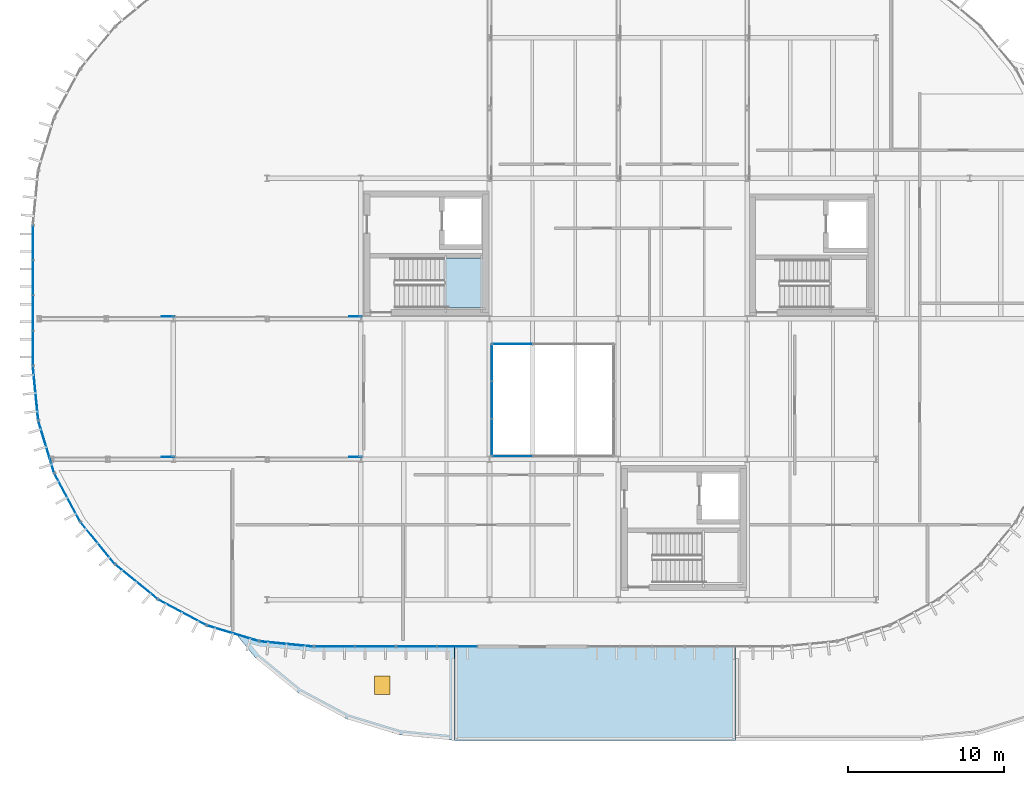
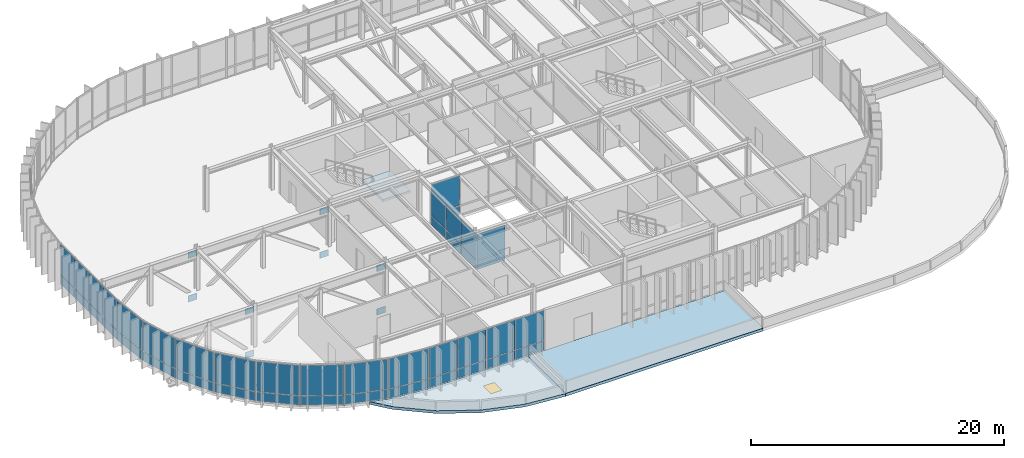
# One storey, part 16 of 29: 50 plates, 3 slabs, 1 door, 1 opening, 16 elements without a shape of their own.
"""IFC4 building model written with IfcOpenShell, lengths in metres."""

import ifcopenshell
import ifcopenshell.guid

model = None  # the IFC model being written
_history = None  # IfcOwnerHistory: only IFC2X3 demands one
_inside = {}  # id of a spatial element -> (the spatial element, [elements in it])
_under = {}  # id of a project, library or spatial element -> (it, [spatial elements below it])
_declared = {}  # id of a project -> (the project, [libraries it declares])
_typed = {}  # id of a type object -> (the type object, [elements of that type])
_made_of = {}  # id of a material, layer set ... -> (it, [elements and type objects made of it])


def new_model(schema):
    """Start an empty IFC model of exactly this schema.

    Asked for "IFC4X3", IfcOpenShell would pick the latest addendum, in which some entities
    have other attributes; the version numbers below select the first issue.
    IFC2X3 requires an IfcOwnerHistory on every rooted entity: one is made here for all.
    """
    global model, _history
    if schema == "IFC4X3":
        model = ifcopenshell.file(schema_version=(4, 3, 0, 0))
    else:
        model = ifcopenshell.file(schema=schema)
    _inside.clear()
    _under.clear()
    _declared.clear()
    _typed.clear()
    _made_of.clear()
    _history = None
    if model.schema == "IFC2X3":
        org = make("IfcOrganization", Name="unknown")
        user = make(
            "IfcPersonAndOrganization",
            ThePerson=make("IfcPerson", FamilyName="unknown"),
            TheOrganization=org,
        )
        app = make(
            "IfcApplication",
            ApplicationDeveloper=org,
            Version="unknown",
            ApplicationFullName="unknown",
            ApplicationIdentifier="unknown",
        )
        _history = make(
            "IfcOwnerHistory",
            OwningUser=user,
            OwningApplication=app,
            ChangeAction="ADDED",
            CreationDate=0,
        )
    return model


def make(cls, **values):
    """One entity of the class cls with the attributes given. An attribute that is None is left unset."""
    return model.create_entity(
        cls, **{name: value for name, value in values.items() if value is not None}
    )


def rooted(cls, **values):
    """An entity with a GlobalId (a new one), such as an element, a storey or a relation."""
    return make(cls, GlobalId=ifcopenshell.guid.new(), OwnerHistory=_history, **values)


def si_unit(unit_type, name, prefix=None):
    """IfcSIUnit, for example si_unit("LENGTHUNIT", "METRE", prefix="MILLI")."""
    return make("IfcSIUnit", UnitType=unit_type, Prefix=prefix, Name=name)


def assignment(units):
    """IfcUnitAssignment: the units of a project."""
    return None if units is None else make("IfcUnitAssignment", Units=units)


def point(xyz):
    """IfcCartesianPoint."""
    return None if xyz is None else make("IfcCartesianPoint", Coordinates=xyz)


def direction(xyz):
    """IfcDirection."""
    return None if xyz is None else make("IfcDirection", DirectionRatios=xyz)


def frame(location, z_axis=None, x_axis=None):
    """IfcAxis2Placement3D, a coordinate frame: its origin and axes. An axis left out is left unset."""
    return make(
        "IfcAxis2Placement3D",
        Location=point(location),
        Axis=direction(z_axis),
        RefDirection=direction(x_axis),
    )


def frame_2d(location, x_axis=None):
    """IfcAxis2Placement2D, a coordinate frame in the plane: its origin and x axis."""
    return make(
        "IfcAxis2Placement2D", Location=point(location), RefDirection=direction(x_axis)
    )


def origin():
    """The frame at (0, 0, 0) with its axes left unset."""
    return frame((0.0, 0.0, 0.0))


def origin_2d():
    """The frame at (0, 0) in the plane with its x axis left unset."""
    return frame_2d((0.0, 0.0))


def place(relative_to, where):
    """IfcLocalPlacement: puts the frame where relative to a parent placement (None: the world)."""
    return make(
        "IfcLocalPlacement", PlacementRelTo=relative_to, RelativePlacement=where
    )


def context(
    kind, dimensions, precision=None, world=None, true_north=None, identifier=None
):
    """IfcGeometricRepresentationContext, for example the 3D "Model" context."""
    return make(
        "IfcGeometricRepresentationContext",
        ContextIdentifier=identifier,
        ContextType=kind,
        CoordinateSpaceDimension=dimensions,
        Precision=precision,
        WorldCoordinateSystem=world,
        TrueNorth=true_north,
    )


def subcontext(parent, identifier, kind, view, scale=None):
    """IfcGeometricRepresentationSubContext, for example "Body" below "Model"."""
    return make(
        "IfcGeometricRepresentationSubContext",
        ContextIdentifier=identifier,
        ContextType=kind,
        ParentContext=parent,
        TargetScale=scale,
        TargetView=view,
    )


def project(units=None, contexts=None):
    """IfcProject with its units and contexts."""
    return rooted(
        "IfcProject",
        Name="project",
        RepresentationContexts=contexts,
        UnitsInContext=assignment(units),
    )


def spatial(cls, under=None, at=None, **own):
    """A site, building, storey or space (cls), placed at a placement, below another one or the project."""
    s = rooted(cls, ObjectPlacement=at, **own)
    if under is not None:
        _under.setdefault(under.id(), (under, []))[1].append(s)
    return s


def polyline(points):
    """IfcPolyline through the points."""
    return make("IfcPolyline", Points=[point(p) for p in points])


def profile(cls, at=None, kind="AREA", **sizes):
    """A parametric profile (cls). Its sizes go by their IFC names, for example OverallWidth=200.0."""
    return make(cls, ProfileType=kind, Position=at, **sizes)


def rectangle(**sizes):
    """IfcRectangleProfileDef."""
    return profile("IfcRectangleProfileDef", **sizes)


def outline(outer, holes=None, kind="AREA"):
    """IfcArbitraryClosedProfileDef: a profile drawn as a closed curve; with holes, ...WithVoids."""
    if holes is None:
        return make("IfcArbitraryClosedProfileDef", ProfileType=kind, OuterCurve=outer)
    return make(
        "IfcArbitraryProfileDefWithVoids",
        ProfileType=kind,
        OuterCurve=outer,
        InnerCurves=holes,
    )


def extrude(swept, where, along, depth):
    """IfcExtrudedAreaSolid: the profile swept, set in the frame where, extruded along a direction by depth."""
    return make(
        "IfcExtrudedAreaSolid",
        SweptArea=swept,
        Position=where,
        ExtrudedDirection=direction(along),
        Depth=depth,
    )


def shape(context_of_items, identifier, shape_type, items):
    """IfcShapeRepresentation: the items that make up one representation, for example the "Body"."""
    return make(
        "IfcShapeRepresentation",
        ContextOfItems=context_of_items,
        RepresentationIdentifier=identifier,
        RepresentationType=shape_type,
        Items=items,
    )


def material(Name=None, Category=None):
    """IfcMaterial."""
    return make("IfcMaterial", Name=Name, Category=Category)


def layer(
    of_material, thickness, ventilated=None, Name=None, Category=None, Priority=None
):
    """IfcMaterialLayer: one layer of a wall or slab, of a material (None: an air gap)."""
    return make(
        "IfcMaterialLayer",
        Material=of_material,
        LayerThickness=thickness,
        IsVentilated=ventilated,
        Name=Name,
        Category=Category,
        Priority=Priority,
    )


def layer_set(layers, Name=None):
    """IfcMaterialLayerSet."""
    return make("IfcMaterialLayerSet", MaterialLayers=layers, LayerSetName=Name)


def made_of(thing, what):
    """Note that an element or type object is made of a material, layer set ...; save() writes the relation."""
    if what is not None:
        _made_of.setdefault(what.id(), (what, []))[1].append(thing)
    return thing


def type_object(cls, material=None, **own):
    """A type object (cls), such as IfcWallType, which elements share."""
    return made_of(rooted(cls, **own), material)


def element(
    cls,
    number,
    at=None,
    inside=None,
    cuts=None,
    type_object=None,
    material=None,
    context=None,
    identifier="Body",
    shape_type=None,
    held_by="IfcProductDefinitionShape",
    body=None,
    shapes=None,
    **own,
):
    """One element of the class cls, such as IfcWall. Its Tag is "e" and its number.

    at: its placement. inside: the storey or other place that contains it. cuts: it is an
    opening in that element (IfcRelVoidsElement). A single representation is given by context,
    identifier, shape_type and body (its items); several are given by shapes. held_by: the class
    of the entity that holds the representations. save() writes the other relations.
    """
    e = rooted(cls, Tag="e%d" % number, ObjectPlacement=at, **own)
    if body is not None:
        shapes = [shape(context, identifier, shape_type, body)]
    if shapes is not None:
        e.Representation = make(held_by, Representations=shapes)
    if inside is not None:
        _inside.setdefault(inside.id(), (inside, []))[1].append(e)
    if cuts is not None:
        rooted(
            "IfcRelVoidsElement", RelatingBuildingElement=cuts, RelatedOpeningElement=e
        )
    if type_object is not None:
        _typed.setdefault(type_object.id(), (type_object, []))[1].append(e)
    return made_of(e, material)


def fill(opening, filler):
    """IfcRelFillsElement: the door or window that sits in an opening."""
    return rooted(
        "IfcRelFillsElement",
        RelatingOpeningElement=opening,
        RelatedBuildingElement=filler,
    )


def aggregate(whole, parts):
    """IfcRelAggregates: a whole, such as a stair, and the parts it consists of."""
    return rooted("IfcRelAggregates", RelatingObject=whole, RelatedObjects=parts)


def save(model, path):
    """Write the relations noted so far, then the file.

    IfcRelAggregates (storeys below a building ...), IfcRelContainedInSpatialStructure (elements
    in a storey), IfcRelDefinesByType, IfcRelAssociatesMaterial and IfcRelDeclares: one each for
    every whole, place, type object, material and project.
    """
    for whole, parts in _under.values():
        aggregate(whole, parts)
    for where, things in _inside.values():
        rooted(
            "IfcRelContainedInSpatialStructure",
            RelatedElements=things,
            RelatingStructure=where,
        )
    for kind, things in _typed.values():
        rooted("IfcRelDefinesByType", RelatedObjects=things, RelatingType=kind)
    for what, things in _made_of.values():
        rooted("IfcRelAssociatesMaterial", RelatedObjects=things, RelatingMaterial=what)
    for by, libraries in _declared.values():
        rooted("IfcRelDeclares", RelatingContext=by, RelatedDefinitions=libraries)
    model.write(path)


model = new_model("IFC4")

# Units and contexts
model_context = context("Model", 3, precision=1e-05, world=origin(), true_north=direction((0.0, 1.0)))
body_context = subcontext(model_context, "Body", "Model", "MODEL_VIEW")
ifc_project = project(units=[si_unit("LENGTHUNIT", "METRE"), si_unit("AREAUNIT", "SQUARE_METRE"), si_unit("VOLUMEUNIT", "CUBIC_METRE"), si_unit("PLANEANGLEUNIT", "RADIAN"), si_unit("MASSUNIT", "GRAM", prefix="KILO")], contexts=[model_context])

# Site, building, storey
site_placement = place(None, origin())
site = spatial("IfcSite", under=ifc_project, at=site_placement, CompositionType="ELEMENT")
building_placement = place(site_placement, origin())
building = spatial("IfcBuilding", under=site, at=building_placement, Name="Montealbar Specialist Clinic", CompositionType="ELEMENT")
storey_placement = place(building_placement, frame((0.0, 0.0, 22.199951171875)))
storey = spatial("IfcBuildingStorey", under=building, at=storey_placement, Name="L05", CompositionType="ELEMENT", Elevation=22.199951171875)

# Curtain wall, plates
ifc_material_1 = material(Name="Low-E double glazing", Category="glass")
ifc_layer_1 = layer(ifc_material_1, 0.199951171875, Name="Low-E double glazing", Category="glass")
ifc_layer_set_1 = layer_set([ifc_layer_1], Name="Low-E double glazing")
curtain_wall_type_1 = type_object("IfcCurtainWallType", Name="CW-TYPE-26", PredefinedType="NOTDEFINED", material=ifc_layer_set_1)
curtain_wall_1_placement = place(storey_placement, origin())
curtain_wall_1 = element("IfcCurtainWall", 1, at=curtain_wall_1_placement, inside=storey, type_object=curtain_wall_type_1, Name="Unitised Curtain Wall CW-L05-744-182-822-182-222", PredefinedType="NOTDEFINED")
ifc_layer_2 = layer(ifc_material_1, 0.028076171875, Name="Low-E double glazing", Category="glass")
ifc_layer_set_2 = layer_set([ifc_layer_2], Name="Low-E double glazing")
plate_type_1 = type_object("IfcPlateType", Name="CW-PNL-IGU28", PredefinedType="CURTAIN_PANEL", material=ifc_layer_set_2)
plate_1_placement = place(storey_placement, frame((75.699951171875, 18.199951171875, 0.070068359375), z_axis=(0.0, 0.0, 1.0), x_axis=(1.0, 0.0, 0.0)))
plate_1 = element("IfcPlate", 2, at=plate_1_placement, type_object=plate_type_1, Name="Glazed Curtain Panel CW-L05-744-182-822-182-222-1-1", PredefinedType="CURTAIN_PANEL", context=body_context, shape_type="SweptSolid", body=[
    extrude(rectangle(XDim=2.528076171875, YDim=0.028076171875, at=origin_2d()), origin(), (0.0, 0.0, 1.0), 0.85009765625),
])
plate_2_placement = place(storey_placement, frame((75.699951171875, 18.199951171875, 0.97998046875), z_axis=(0.0, 0.0, 1.0), x_axis=(1.0, 0.0, 0.0)))
plate_2 = element("IfcPlate", 3, at=plate_2_placement, type_object=plate_type_1, Name="Glazed Curtain Panel CW-L05-744-182-822-182-222-1-2", PredefinedType="CURTAIN_PANEL", context=body_context, shape_type="SweptSolid", body=[
    extrude(rectangle(XDim=2.528076171875, YDim=0.028076171875, at=origin_2d()), origin(), (0.0, 0.0, 1.0), 2.489990234375),
])
aggregate(curtain_wall_1, [plate_1, plate_2])

ifc_layer_3 = layer(ifc_material_1, 0.199951171875, Name="Low-E double glazing", Category="glass")
ifc_layer_set_3 = layer_set([ifc_layer_3], Name="Low-E double glazing")
curtain_wall_type_2 = type_object("IfcCurtainWallType", Name="CW-TYPE-25", PredefinedType="NOTDEFINED", material=ifc_layer_set_3)
curtain_wall_2_placement = place(storey_placement, origin())
curtain_wall_2 = element("IfcCurtainWall", 4, at=curtain_wall_2_placement, inside=storey, type_object=curtain_wall_type_2, Name="Unitised Curtain Wall CW-L05-822-254-744-254-222", PredefinedType="NOTDEFINED")
plate_3_placement = place(storey_placement, frame((75.699951171875, 25.39990234375, 0.070068359375), z_axis=(0.0, 0.0, 1.0), x_axis=(-1.0, 0.0, 0.0)))
plate_3 = element("IfcPlate", 5, at=plate_3_placement, type_object=plate_type_1, Name="Glazed Curtain Panel CW-L05-822-254-744-254-222-3-1", PredefinedType="CURTAIN_PANEL", context=body_context, shape_type="SweptSolid", body=[
    extrude(rectangle(XDim=2.528076171875, YDim=0.028076171875, at=origin_2d()), origin(), (0.0, 0.0, 1.0), 0.85009765625),
])
plate_4_placement = place(storey_placement, frame((75.699951171875, 25.39990234375, 0.97998046875), z_axis=(0.0, 0.0, 1.0), x_axis=(-1.0, 0.0, 0.0)))
plate_4 = element("IfcPlate", 6, at=plate_4_placement, type_object=plate_type_1, Name="Glazed Curtain Panel CW-L05-822-254-744-254-222-3-2", PredefinedType="CURTAIN_PANEL", context=body_context, shape_type="SweptSolid", body=[
    extrude(rectangle(XDim=2.528076171875, YDim=0.028076171875, at=origin_2d()), origin(), (0.0, 0.0, 1.0), 2.889892578125),
])
aggregate(curtain_wall_2, [plate_3, plate_4])

ifc_layer_4 = layer(ifc_material_1, 0.199951171875, Name="Low-E double glazing", Category="glass")
ifc_layer_set_4 = layer_set([ifc_layer_4], Name="Low-E double glazing")
curtain_wall_type_3 = type_object("IfcCurtainWallType", Name="CW-TYPE-41", PredefinedType="NOTDEFINED", material=ifc_layer_set_4)
curtain_wall_3_placement = place(storey_placement, origin())
curtain_wall_3 = element("IfcCurtainWall", 7, at=curtain_wall_3_placement, inside=storey, type_object=curtain_wall_type_3, Name="Unitised Curtain Wall CW-L05-744-254-744-182-222", PredefinedType="NOTDEFINED")
plate_5_placement = place(storey_placement, frame((74.39990234375, 24.199951171875, 0.070068359375), z_axis=(0.0, 0.0, 1.0), x_axis=(0.0, -1.0, 0.0)))
plate_5 = element("IfcPlate", 8, at=plate_5_placement, type_object=plate_type_1, Name="Glazed Curtain Panel CW-L05-744-254-744-182-222-1-1", PredefinedType="CURTAIN_PANEL", context=body_context, shape_type="SweptSolid", body=[
    extrude(rectangle(XDim=2.327880859375, YDim=0.028076171875, at=origin_2d()), origin(), (0.0, 0.0, 1.0), 0.85009765625),
])
plate_6_placement = place(storey_placement, frame((74.39990234375, 24.199951171875, 0.97998046875), z_axis=(0.0, 0.0, 1.0), x_axis=(0.0, -1.0, 0.0)))
plate_6 = element("IfcPlate", 9, at=plate_6_placement, type_object=plate_type_1, Name="Glazed Curtain Panel CW-L05-744-254-744-182-222-1-2", PredefinedType="CURTAIN_PANEL", context=body_context, shape_type="SweptSolid", body=[
    extrude(rectangle(XDim=2.327880859375, YDim=0.028076171875, at=origin_2d()), origin(), (0.0, 0.0, 1.0), 2.47998046875),
])
plate_7_placement = place(storey_placement, frame((74.39990234375, 21.800048828125, 0.070068359375), z_axis=(0.0, 0.0, 1.0), x_axis=(0.0, -1.0, 0.0)))
plate_7 = element("IfcPlate", 10, at=plate_7_placement, type_object=plate_type_1, Name="Glazed Curtain Panel CW-L05-744-254-744-182-222-2-1", PredefinedType="CURTAIN_PANEL", context=body_context, shape_type="SweptSolid", body=[
    extrude(rectangle(XDim=2.327880859375, YDim=0.028076171875, at=origin_2d()), origin(), (0.0, 0.0, 1.0), 0.85009765625),
])
plate_8_placement = place(storey_placement, frame((74.39990234375, 21.800048828125, 0.97998046875), z_axis=(0.0, 0.0, 1.0), x_axis=(0.0, -1.0, 0.0)))
plate_8 = element("IfcPlate", 11, at=plate_8_placement, type_object=plate_type_1, Name="Glazed Curtain Panel CW-L05-744-254-744-182-222-2-2", PredefinedType="CURTAIN_PANEL", context=body_context, shape_type="SweptSolid", body=[
    extrude(rectangle(XDim=2.327880859375, YDim=0.028076171875, at=origin_2d()), origin(), (0.0, 0.0, 1.0), 2.47998046875),
])
plate_9_placement = place(storey_placement, frame((74.39990234375, 19.39990234375, 0.070068359375), z_axis=(0.0, 0.0, 1.0), x_axis=(0.0, -1.0, 0.0)))
plate_9 = element("IfcPlate", 12, at=plate_9_placement, type_object=plate_type_1, Name="Glazed Curtain Panel CW-L05-744-254-744-182-222-3-1", PredefinedType="CURTAIN_PANEL", context=body_context, shape_type="SweptSolid", body=[
    extrude(rectangle(XDim=2.327880859375, YDim=0.028076171875, at=origin_2d()), origin(), (0.0, 0.0, 1.0), 0.85009765625),
])
plate_10_placement = place(storey_placement, frame((74.39990234375, 19.39990234375, 0.97998046875), z_axis=(0.0, 0.0, 1.0), x_axis=(0.0, -1.0, 0.0)))
plate_10 = element("IfcPlate", 13, at=plate_10_placement, type_object=plate_type_1, Name="Glazed Curtain Panel CW-L05-744-254-744-182-222-3-2", PredefinedType="CURTAIN_PANEL", context=body_context, shape_type="SweptSolid", body=[
    extrude(rectangle(XDim=2.327880859375, YDim=0.028076171875, at=origin_2d()), origin(), (0.0, 0.0, 1.0), 2.47998046875),
])
aggregate(curtain_wall_3, [plate_5, plate_6, plate_7, plate_8, plate_9, plate_10])

ifc_layer_5 = layer(ifc_material_1, 0.199951171875, Name="Low-E double glazing", Category="glass")
ifc_layer_set_5 = layer_set([ifc_layer_5], Name="Low-E double glazing")
curtain_wall_type_4 = type_object("IfcCurtainWallType", Name="CW-TYPE-37", PredefinedType="NOTDEFINED", material=ifc_layer_set_5)
curtain_wall_4_placement = place(storey_placement, origin())
curtain_wall_4 = element("IfcCurtainWall", 14, at=curtain_wall_4_placement, inside=storey, type_object=curtain_wall_type_4, Name="Unitised Curtain Wall CW-L05-450-240-450-330-222", PredefinedType="NOTDEFINED")
ifc_layer_6 = layer(ifc_material_1, 0.0380859375, Name="Low-E double glazing", Category="glass")
ifc_layer_set_6 = layer_set([ifc_layer_6], Name="Low-E double glazing")
plate_type_2 = type_object("IfcPlateType", Name="CW-PNL-IGU38", PredefinedType="CURTAIN_PANEL", material=ifc_layer_set_6)
plate_11_placement = place(storey_placement, frame((45.0, 25.125, 0.070068359375), z_axis=(0.0, 0.0, 1.0), x_axis=(0.0, 1.0, 0.0)))
plate_11 = element("IfcPlate", 15, at=plate_11_placement, type_object=plate_type_2, Name="Glazed Curtain Panel CW-L05-450-240-450-330-222-1-1", PredefinedType="CURTAIN_PANEL", context=body_context, shape_type="SweptSolid", body=[
    extrude(rectangle(XDim=2.166015625, YDim=0.0380859375, at=origin_2d()), origin(), (0.0, 0.0, 1.0), 0.85009765625),
])
plate_12_placement = place(storey_placement, frame((45.0, 25.125, 0.97998046875), z_axis=(0.0, 0.0, 1.0), x_axis=(0.0, 1.0, 0.0)))
plate_12 = element("IfcPlate", 16, at=plate_12_placement, type_object=plate_type_2, Name="Glazed Curtain Panel CW-L05-450-240-450-330-222-1-2", PredefinedType="CURTAIN_PANEL", context=body_context, shape_type="SweptSolid", body=[
    extrude(rectangle(XDim=2.166015625, YDim=0.0380859375, at=origin_2d()), origin(), (0.0, 0.0, 1.0), 2.889892578125),
])
plate_13_placement = place(storey_placement, frame((45.0, 27.375, 0.070068359375), z_axis=(0.0, 0.0, 1.0), x_axis=(0.0, 1.0, 0.0)))
plate_13 = element("IfcPlate", 17, at=plate_13_placement, type_object=plate_type_2, Name="Glazed Curtain Panel CW-L05-450-240-450-330-222-2-1", PredefinedType="CURTAIN_PANEL", context=body_context, shape_type="SweptSolid", body=[
    extrude(rectangle(XDim=2.166015625, YDim=0.0380859375, at=origin_2d()), origin(), (0.0, 0.0, 1.0), 0.85009765625),
])
plate_14_placement = place(storey_placement, frame((45.0, 27.375, 0.97998046875), z_axis=(0.0, 0.0, 1.0), x_axis=(0.0, 1.0, 0.0)))
plate_14 = element("IfcPlate", 18, at=plate_14_placement, type_object=plate_type_2, Name="Glazed Curtain Panel CW-L05-450-240-450-330-222-2-2", PredefinedType="CURTAIN_PANEL", context=body_context, shape_type="SweptSolid", body=[
    extrude(rectangle(XDim=2.166015625, YDim=0.0380859375, at=origin_2d()), origin(), (0.0, 0.0, 1.0), 2.889892578125),
])
plate_15_placement = place(storey_placement, frame((45.0, 29.625, 0.070068359375), z_axis=(0.0, 0.0, 1.0), x_axis=(0.0, 1.0, 0.0)))
plate_15 = element("IfcPlate", 19, at=plate_15_placement, type_object=plate_type_2, Name="Glazed Curtain Panel CW-L05-450-240-450-330-222-3-1", PredefinedType="CURTAIN_PANEL", context=body_context, shape_type="SweptSolid", body=[
    extrude(rectangle(XDim=2.166015625, YDim=0.0380859375, at=origin_2d()), origin(), (0.0, 0.0, 1.0), 0.85009765625),
])
plate_16_placement = place(storey_placement, frame((45.0, 29.625, 0.97998046875), z_axis=(0.0, 0.0, 1.0), x_axis=(0.0, 1.0, 0.0)))
plate_16 = element("IfcPlate", 20, at=plate_16_placement, type_object=plate_type_2, Name="Glazed Curtain Panel CW-L05-450-240-450-330-222-3-2", PredefinedType="CURTAIN_PANEL", context=body_context, shape_type="SweptSolid", body=[
    extrude(rectangle(XDim=2.166015625, YDim=0.0380859375, at=origin_2d()), origin(), (0.0, 0.0, 1.0), 2.889892578125),
])
plate_17_placement = place(storey_placement, frame((45.0, 31.875, 0.070068359375), z_axis=(0.0, 0.0, 1.0), x_axis=(0.0, 1.0, 0.0)))
plate_17 = element("IfcPlate", 21, at=plate_17_placement, type_object=plate_type_2, Name="Glazed Curtain Panel CW-L05-450-240-450-330-222-4-1", PredefinedType="CURTAIN_PANEL", context=body_context, shape_type="SweptSolid", body=[
    extrude(rectangle(XDim=2.166015625, YDim=0.0380859375, at=origin_2d()), origin(), (0.0, 0.0, 1.0), 0.85009765625),
])
plate_18_placement = place(storey_placement, frame((45.0, 31.875, 0.97998046875), z_axis=(0.0, 0.0, 1.0), x_axis=(0.0, 1.0, 0.0)))
plate_18 = element("IfcPlate", 22, at=plate_18_placement, type_object=plate_type_2, Name="Glazed Curtain Panel CW-L05-450-240-450-330-222-4-2", PredefinedType="CURTAIN_PANEL", context=body_context, shape_type="SweptSolid", body=[
    extrude(rectangle(XDim=2.166015625, YDim=0.0380859375, at=origin_2d()), origin(), (0.0, 0.0, 1.0), 2.889892578125),
])
aggregate(curtain_wall_4, [plate_11, plate_12, plate_13, plate_14, plate_15, plate_16, plate_17, plate_18])

ifc_layer_7 = layer(ifc_material_1, 0.199951171875, Name="Low-E double glazing", Category="glass")
ifc_layer_set_7 = layer_set([ifc_layer_7], Name="Low-E double glazing")
curtain_wall_type_5 = type_object("IfcCurtainWallType", Name="CW-TYPE-39", PredefinedType="NOTDEFINED", material=ifc_layer_set_7)
curtain_wall_5_placement = place(storey_placement, origin())
curtain_wall_5 = element("IfcCurtainWall", 23, at=curtain_wall_5_placement, inside=storey, type_object=curtain_wall_type_5, Name="Unitised Curtain Wall CW-L05-630-60-682-60-222", PredefinedType="NOTDEFINED")
plate_19_placement = place(storey_placement, frame((64.31201171875, 6.0, 0.070068359375), z_axis=(0.0, 0.0, 1.0), x_axis=(1.0, 0.0, 0.0)))
plate_19 = element("IfcPlate", 24, at=plate_19_placement, type_object=plate_type_2, Name="Glazed Curtain Panel CW-L05-630-60-682-60-222-1-1", PredefinedType="CURTAIN_PANEL", context=body_context, shape_type="SweptSolid", body=[
    extrude(rectangle(XDim=2.541015625, YDim=0.0380859375, at=origin_2d()), origin(), (0.0, 0.0, 1.0), 0.85009765625),
])
plate_20_placement = place(storey_placement, frame((64.31201171875, 6.0, 0.97998046875), z_axis=(0.0, 0.0, 1.0), x_axis=(1.0, 0.0, 0.0)))
plate_20 = element("IfcPlate", 25, at=plate_20_placement, type_object=plate_type_2, Name="Glazed Curtain Panel CW-L05-630-60-682-60-222-1-2", PredefinedType="CURTAIN_PANEL", context=body_context, shape_type="SweptSolid", body=[
    extrude(rectangle(XDim=2.541015625, YDim=0.0380859375, at=origin_2d()), origin(), (0.0, 0.0, 1.0), 2.889892578125),
])
plate_21_placement = place(storey_placement, frame((66.93798828125, 6.0, 0.070068359375), z_axis=(0.0, 0.0, 1.0), x_axis=(1.0, 0.0, 0.0)))
plate_21 = element("IfcPlate", 26, at=plate_21_placement, type_object=plate_type_2, Name="Glazed Curtain Panel CW-L05-630-60-682-60-222-2-1", PredefinedType="CURTAIN_PANEL", context=body_context, shape_type="SweptSolid", body=[
    extrude(rectangle(XDim=2.541015625, YDim=0.0380859375, at=origin_2d()), origin(), (0.0, 0.0, 1.0), 0.85009765625),
])
plate_22_placement = place(storey_placement, frame((66.93798828125, 6.0, 0.97998046875), z_axis=(0.0, 0.0, 1.0), x_axis=(1.0, 0.0, 0.0)))
plate_22 = element("IfcPlate", 27, at=plate_22_placement, type_object=plate_type_2, Name="Glazed Curtain Panel CW-L05-630-60-682-60-222-2-2", PredefinedType="CURTAIN_PANEL", context=body_context, shape_type="SweptSolid", body=[
    extrude(rectangle(XDim=2.541015625, YDim=0.0380859375, at=origin_2d()), origin(), (0.0, 0.0, 1.0), 2.889892578125),
])
aggregate(curtain_wall_5, [plate_19, plate_20, plate_21, plate_22])

curtain_wall_6_placement = place(storey_placement, origin())
curtain_wall_6 = element("IfcCurtainWall", 28, at=curtain_wall_6_placement, inside=storey, type_object=curtain_wall_type_5, Name="Unitised Curtain Wall CW-L05-682-60-735-60-222", PredefinedType="NOTDEFINED")
plate_23_placement = place(storey_placement, frame((69.56201171875, 6.0, 0.070068359375), z_axis=(0.0, 0.0, 1.0), x_axis=(1.0, 0.0, 0.0)))
plate_23 = element("IfcPlate", 29, at=plate_23_placement, type_object=plate_type_2, Name="Glazed Curtain Panel CW-L05-682-60-735-60-222-1-1", PredefinedType="CURTAIN_PANEL", context=body_context, shape_type="SweptSolid", body=[
    extrude(rectangle(XDim=2.541015625, YDim=0.0380859375, at=origin_2d()), origin(), (0.0, 0.0, 1.0), 0.85009765625),
])
plate_24_placement = place(storey_placement, frame((69.56201171875, 6.0, 0.97998046875), z_axis=(0.0, 0.0, 1.0), x_axis=(1.0, 0.0, 0.0)))
plate_24 = element("IfcPlate", 30, at=plate_24_placement, type_object=plate_type_2, Name="Glazed Curtain Panel CW-L05-682-60-735-60-222-1-2", PredefinedType="CURTAIN_PANEL", context=body_context, shape_type="SweptSolid", body=[
    extrude(rectangle(XDim=2.541015625, YDim=0.0380859375, at=origin_2d()), origin(), (0.0, 0.0, 1.0), 2.889892578125),
])
plate_25_placement = place(storey_placement, frame((72.18798828125, 6.0, 0.070068359375), z_axis=(0.0, 0.0, 1.0), x_axis=(1.0, 0.0, 0.0)))
plate_25 = element("IfcPlate", 31, at=plate_25_placement, type_object=plate_type_2, Name="Glazed Curtain Panel CW-L05-682-60-735-60-222-2-1", PredefinedType="CURTAIN_PANEL", context=body_context, shape_type="SweptSolid", body=[
    extrude(rectangle(XDim=2.541015625, YDim=0.0380859375, at=origin_2d()), origin(), (0.0, 0.0, 1.0), 0.85009765625),
])
plate_26_placement = place(storey_placement, frame((72.18798828125, 6.0, 0.97998046875), z_axis=(0.0, 0.0, 1.0), x_axis=(1.0, 0.0, 0.0)))
plate_26 = element("IfcPlate", 32, at=plate_26_placement, type_object=plate_type_2, Name="Glazed Curtain Panel CW-L05-682-60-735-60-222-2-2", PredefinedType="CURTAIN_PANEL", context=body_context, shape_type="SweptSolid", body=[
    extrude(rectangle(XDim=2.541015625, YDim=0.0380859375, at=origin_2d()), origin(), (0.0, 0.0, 1.0), 2.889892578125),
])
aggregate(curtain_wall_6, [plate_23, plate_24, plate_25, plate_26])

ifc_layer_8 = layer(ifc_material_1, 0.199951171875, Name="Low-E double glazing", Category="glass")
ifc_layer_set_8 = layer_set([ifc_layer_8], Name="Low-E double glazing")
curtain_wall_type_6 = type_object("IfcCurtainWallType", Name="CW-TYPE-19", PredefinedType="NOTDEFINED", material=ifc_layer_set_8)
curtain_wall_7_placement = place(storey_placement, origin())
curtain_wall_7 = element("IfcCurtainWall", 33, at=curtain_wall_7_placement, inside=storey, type_object=curtain_wall_type_6, Name="Unitised Curtain Wall CW-L05-630-60-595-63-222", PredefinedType="NOTDEFINED")
plate_27_placement = place(storey_placement, frame((61.243896484375, 6.173095703125, 0.070068359375), z_axis=(0.0, 0.0, 1.0), x_axis=(-0.995182012183, 0.098044697094, 0.0)))
plate_27 = element("IfcPlate", 34, at=plate_27_placement, type_object=plate_type_2, Name="Glazed Curtain Panel CW-L05-630-60-595-63-222-1-1", PredefinedType="CURTAIN_PANEL", context=body_context, shape_type="SweptSolid", body=[
    extrude(rectangle(XDim=3.445068359375, YDim=0.0380859375, at=origin_2d()), origin(), (0.0, 0.0, 1.0), 0.85009765625),
])
plate_28_placement = place(storey_placement, frame((61.243896484375, 6.173095703125, 0.97998046875), z_axis=(0.0, 0.0, 1.0), x_axis=(-0.995182012183, 0.098044697094, 0.0)))
plate_28 = element("IfcPlate", 35, at=plate_28_placement, type_object=plate_type_2, Name="Glazed Curtain Panel CW-L05-630-60-595-63-222-1-2", PredefinedType="CURTAIN_PANEL", context=body_context, shape_type="SweptSolid", body=[
    extrude(rectangle(XDim=3.445068359375, YDim=0.0380859375, at=origin_2d()), origin(), (0.0, 0.0, 1.0), 2.889892578125),
])
aggregate(curtain_wall_7, [plate_27, plate_28])

curtain_wall_8_placement = place(storey_placement, origin())
curtain_wall_8 = element("IfcCurtainWall", 36, at=curtain_wall_8_placement, inside=storey, type_object=curtain_wall_type_6, Name="Unitised Curtain Wall CW-L05-595-63-561-74-222", PredefinedType="NOTDEFINED")
plate_29_placement = place(storey_placement, frame((57.800048828125, 6.85791015625, 0.070068359375), z_axis=(0.0, 0.0, 1.0), x_axis=(-0.956948083701, 0.290259134399, 0.0)))
plate_29 = element("IfcPlate", 37, at=plate_29_placement, type_object=plate_type_2, Name="Glazed Curtain Panel CW-L05-595-63-561-74-222-1-1", PredefinedType="CURTAIN_PANEL", context=body_context, shape_type="SweptSolid", body=[
    extrude(rectangle(XDim=3.444091796875, YDim=0.0380859375, at=origin_2d()), origin(), (0.0, 0.0, 1.0), 0.85009765625),
])
plate_30_placement = place(storey_placement, frame((57.800048828125, 6.85791015625, 0.97998046875), z_axis=(0.0, 0.0, 1.0), x_axis=(-0.956948083701, 0.290259134399, 0.0)))
plate_30 = element("IfcPlate", 38, at=plate_30_placement, type_object=plate_type_2, Name="Glazed Curtain Panel CW-L05-595-63-561-74-222-1-2", PredefinedType="CURTAIN_PANEL", context=body_context, shape_type="SweptSolid", body=[
    extrude(rectangle(XDim=3.444091796875, YDim=0.0380859375, at=origin_2d()), origin(), (0.0, 0.0, 1.0), 2.889892578125),
])
aggregate(curtain_wall_8, [plate_29, plate_30])

curtain_wall_9_placement = place(storey_placement, origin())
curtain_wall_9 = element("IfcCurtainWall", 39, at=curtain_wall_9_placement, inside=storey, type_object=curtain_wall_type_6, Name="Unitised Curtain Wall CW-L05-561-74-530-90-222", PredefinedType="NOTDEFINED")
plate_31_placement = place(storey_placement, frame((54.555908203125, 8.201904296875, 0.070068359375), z_axis=(0.0, 0.0, 1.0), x_axis=(-0.881850411644, 0.471529268958, 0.0)))
plate_31 = element("IfcPlate", 40, at=plate_31_placement, type_object=plate_type_2, Name="Glazed Curtain Panel CW-L05-561-74-530-90-222-1-1", PredefinedType="CURTAIN_PANEL", context=body_context, shape_type="SweptSolid", body=[
    extrude(rectangle(XDim=3.445068359375, YDim=0.0380859375, at=origin_2d()), origin(), (0.0, 0.0, 1.0), 0.85009765625),
])
plate_32_placement = place(storey_placement, frame((54.555908203125, 8.201904296875, 0.97998046875), z_axis=(0.0, 0.0, 1.0), x_axis=(-0.881850411644, 0.471529268958, 0.0)))
plate_32 = element("IfcPlate", 41, at=plate_32_placement, type_object=plate_type_2, Name="Glazed Curtain Panel CW-L05-561-74-530-90-222-1-2", PredefinedType="CURTAIN_PANEL", context=body_context, shape_type="SweptSolid", body=[
    extrude(rectangle(XDim=3.445068359375, YDim=0.0380859375, at=origin_2d()), origin(), (0.0, 0.0, 1.0), 2.889892578125),
])
aggregate(curtain_wall_9, [plate_31, plate_32])

curtain_wall_10_placement = place(storey_placement, origin())
curtain_wall_10 = element("IfcCurtainWall", 42, at=curtain_wall_10_placement, inside=storey, type_object=curtain_wall_type_6, Name="Unitised Curtain Wall CW-L05-530-90-503-113-222", PredefinedType="NOTDEFINED")
plate_33_placement = place(storey_placement, frame((51.635986328125, 10.153076171875, 0.070068359375), z_axis=(0.0, 0.0, 1.0), x_axis=(-0.773123255923, 0.634255808922, 0.0)))
plate_33 = element("IfcPlate", 43, at=plate_33_placement, type_object=plate_type_2, Name="Glazed Curtain Panel CW-L05-530-90-503-113-222-1-1", PredefinedType="CURTAIN_PANEL", context=body_context, shape_type="SweptSolid", body=[
    extrude(rectangle(XDim=3.445068359375, YDim=0.0380859375, at=origin_2d()), origin(), (0.0, 0.0, 1.0), 0.85009765625),
])
plate_34_placement = place(storey_placement, frame((51.635986328125, 10.153076171875, 0.97998046875), z_axis=(0.0, 0.0, 1.0), x_axis=(-0.773123255923, 0.634255808922, 0.0)))
plate_34 = element("IfcPlate", 44, at=plate_34_placement, type_object=plate_type_2, Name="Glazed Curtain Panel CW-L05-530-90-503-113-222-1-2", PredefinedType="CURTAIN_PANEL", context=body_context, shape_type="SweptSolid", body=[
    extrude(rectangle(XDim=3.445068359375, YDim=0.0380859375, at=origin_2d()), origin(), (0.0, 0.0, 1.0), 2.889892578125),
])
aggregate(curtain_wall_10, [plate_33, plate_34])

curtain_wall_11_placement = place(storey_placement, origin())
curtain_wall_11 = element("IfcCurtainWall", 45, at=curtain_wall_11_placement, inside=storey, type_object=curtain_wall_type_6, Name="Unitised Curtain Wall CW-L05-503-113-480-140-222", PredefinedType="NOTDEFINED")
plate_35_placement = place(storey_placement, frame((49.153076171875, 12.635986328125, 0.070068359375), z_axis=(0.0, 0.0, 1.0), x_axis=(-0.634255808922, 0.773123255923, 0.0)))
plate_35 = element("IfcPlate", 46, at=plate_35_placement, type_object=plate_type_2, Name="Glazed Curtain Panel CW-L05-503-113-480-140-222-1-1", PredefinedType="CURTAIN_PANEL", context=body_context, shape_type="SweptSolid", body=[
    extrude(rectangle(XDim=3.445068359375, YDim=0.0380859375, at=origin_2d()), origin(), (0.0, 0.0, 1.0), 0.85009765625),
])
plate_36_placement = place(storey_placement, frame((49.153076171875, 12.635986328125, 0.97998046875), z_axis=(0.0, 0.0, 1.0), x_axis=(-0.634255808922, 0.773123255923, 0.0)))
plate_36 = element("IfcPlate", 47, at=plate_36_placement, type_object=plate_type_2, Name="Glazed Curtain Panel CW-L05-503-113-480-140-222-1-2", PredefinedType="CURTAIN_PANEL", context=body_context, shape_type="SweptSolid", body=[
    extrude(rectangle(XDim=3.445068359375, YDim=0.0380859375, at=origin_2d()), origin(), (0.0, 0.0, 1.0), 2.889892578125),
])
aggregate(curtain_wall_11, [plate_35, plate_36])

curtain_wall_12_placement = place(storey_placement, origin())
curtain_wall_12 = element("IfcCurtainWall", 48, at=curtain_wall_12_placement, inside=storey, type_object=curtain_wall_type_6, Name="Unitised Curtain Wall CW-L05-480-140-464-171-222", PredefinedType="NOTDEFINED")
plate_37_placement = place(storey_placement, frame((47.201904296875, 15.555908203125, 0.070068359375), z_axis=(0.0, 0.0, 1.0), x_axis=(-0.471529268958, 0.881850411644, 0.0)))
plate_37 = element("IfcPlate", 49, at=plate_37_placement, type_object=plate_type_2, Name="Glazed Curtain Panel CW-L05-480-140-464-171-222-1-1", PredefinedType="CURTAIN_PANEL", context=body_context, shape_type="SweptSolid", body=[
    extrude(rectangle(XDim=3.445068359375, YDim=0.0380859375, at=origin_2d()), origin(), (0.0, 0.0, 1.0), 0.85009765625),
])
plate_38_placement = place(storey_placement, frame((47.201904296875, 15.555908203125, 0.97998046875), z_axis=(0.0, 0.0, 1.0), x_axis=(-0.471529268958, 0.881850411644, 0.0)))
plate_38 = element("IfcPlate", 50, at=plate_38_placement, type_object=plate_type_2, Name="Glazed Curtain Panel CW-L05-480-140-464-171-222-1-2", PredefinedType="CURTAIN_PANEL", context=body_context, shape_type="SweptSolid", body=[
    extrude(rectangle(XDim=3.445068359375, YDim=0.0380859375, at=origin_2d()), origin(), (0.0, 0.0, 1.0), 2.889892578125),
])
aggregate(curtain_wall_12, [plate_37, plate_38])

curtain_wall_13_placement = place(storey_placement, origin())
curtain_wall_13 = element("IfcCurtainWall", 51, at=curtain_wall_13_placement, inside=storey, type_object=curtain_wall_type_6, Name="Unitised Curtain Wall CW-L05-464-171-453-205-222", PredefinedType="NOTDEFINED")
plate_39_placement = place(storey_placement, frame((45.85791015625, 18.800048828125, 0.070068359375), z_axis=(0.0, 0.0, 1.0), x_axis=(-0.290259134399, 0.956948083701, 0.0)))
plate_39 = element("IfcPlate", 52, at=plate_39_placement, type_object=plate_type_2, Name="Glazed Curtain Panel CW-L05-464-171-453-205-222-1-1", PredefinedType="CURTAIN_PANEL", context=body_context, shape_type="SweptSolid", body=[
    extrude(rectangle(XDim=3.444091796875, YDim=0.0380859375, at=origin_2d()), origin(), (0.0, 0.0, 1.0), 0.85009765625),
])
plate_40_placement = place(storey_placement, frame((45.85791015625, 18.800048828125, 0.97998046875), z_axis=(0.0, 0.0, 1.0), x_axis=(-0.290259134399, 0.956948083701, 0.0)))
plate_40 = element("IfcPlate", 53, at=plate_40_placement, type_object=plate_type_2, Name="Glazed Curtain Panel CW-L05-464-171-453-205-222-1-2", PredefinedType="CURTAIN_PANEL", context=body_context, shape_type="SweptSolid", body=[
    extrude(rectangle(XDim=3.444091796875, YDim=0.0380859375, at=origin_2d()), origin(), (0.0, 0.0, 1.0), 2.889892578125),
])
aggregate(curtain_wall_13, [plate_39, plate_40])

curtain_wall_14_placement = place(storey_placement, origin())
curtain_wall_14 = element("IfcCurtainWall", 54, at=curtain_wall_14_placement, inside=storey, type_object=curtain_wall_type_6, Name="Unitised Curtain Wall CW-L05-453-205-450-240-222", PredefinedType="NOTDEFINED")
plate_41_placement = place(storey_placement, frame((45.173095703125, 22.243896484375, 0.070068359375), z_axis=(0.0, 0.0, 1.0), x_axis=(-0.098044697094, 0.995182012183, 0.0)))
plate_41 = element("IfcPlate", 55, at=plate_41_placement, type_object=plate_type_2, Name="Glazed Curtain Panel CW-L05-453-205-450-240-222-1-1", PredefinedType="CURTAIN_PANEL", context=body_context, shape_type="SweptSolid", body=[
    extrude(rectangle(XDim=3.445068359375, YDim=0.0380859375, at=origin_2d()), origin(), (0.0, 0.0, 1.0), 0.85009765625),
])
plate_42_placement = place(storey_placement, frame((45.173095703125, 22.243896484375, 0.97998046875), z_axis=(0.0, 0.0, 1.0), x_axis=(-0.098044697094, 0.995182012183, 0.0)))
plate_42 = element("IfcPlate", 56, at=plate_42_placement, type_object=plate_type_2, Name="Glazed Curtain Panel CW-L05-453-205-450-240-222-1-2", PredefinedType="CURTAIN_PANEL", context=body_context, shape_type="SweptSolid", body=[
    extrude(rectangle(XDim=3.445068359375, YDim=0.0380859375, at=origin_2d()), origin(), (0.0, 0.0, 1.0), 2.889892578125),
])
aggregate(curtain_wall_14, [plate_41, plate_42])

# Plates
ifc_material_2 = material(Name="Steel S355", Category="steel")
ifc_layer_9 = layer(ifc_material_2, 0.034912109375, Name="Steel S355", Category="steel")
ifc_layer_set_9 = layer_set([ifc_layer_9], Name="Steel S355")
plate_type_3 = type_object("IfcPlateType", Name="PL-GUSSET-35", PredefinedType="SHEET", material=ifc_layer_set_9)
for number, where, z_axis, x_axis, name in (
    (57, (65.64990234375, 27.136962890625, -1.090087890625), (0.0, 0.0, 1.0), (1.0, 0.0, 0.0), "Truss node gusset plate GN-TT-W1-0B"),
    (58, (65.64990234375, 27.136962890625, 3.110107421875), (0.0, 0.0, 1.0), (1.0, 0.0, 0.0), "Truss node gusset plate GN-TT-W1-0T"),
    (59, (53.64990234375, 27.136962890625, -1.090087890625), (0.0, 0.0, 1.0), (1.0, 0.0, 0.0), "Truss node gusset plate GN-TT-W1-2B"),
    (60, (53.64990234375, 27.136962890625, 3.110107421875), (0.0, 0.0, 1.0), (1.0, 0.0, 0.0), "Truss node gusset plate GN-TT-W1-2T"),
    (61, (65.64990234375, 18.136962890625, -1.090087890625), (0.0, 0.0, 1.0), (1.0, 0.0, 0.0), "Truss node gusset plate GN-TT-W2-0B"),
    (62, (65.64990234375, 18.136962890625, 3.110107421875), (0.0, 0.0, 1.0), (1.0, 0.0, 0.0), "Truss node gusset plate GN-TT-W2-0T"),
    (63, (53.64990234375, 18.136962890625, -1.090087890625), (0.0, 0.0, 1.0), (1.0, 0.0, 0.0), "Truss node gusset plate GN-TT-W2-2B"),
    (64, (53.64990234375, 18.136962890625, 3.110107421875), (0.0, 0.0, 1.0), (1.0, 0.0, 0.0), "Truss node gusset plate GN-TT-W2-2T"),
):
    element("IfcPlate", number, at=place(storey_placement, frame(where, z_axis=z_axis, x_axis=x_axis)), inside=storey, type_object=plate_type_3, Name=name, PredefinedType="SHEET", context=body_context, shape_type="SweptSolid", body=[
        extrude(rectangle(XDim=0.800048828125, YDim=0.034912109375, at=origin_2d()), origin(), (0.0, 0.0, 1.0), 0.60009765625),
    ])

# Roof, slab, opening, door
ifc_material_3 = material(Name="Weatherproof roofing membrane", Category="concrete")
roof_type = type_object("IfcRoofType", Name="ROOF-CONT-FLAT", PredefinedType="FLAT_ROOF", material=ifc_material_3)
roof_placement = place(storey_placement, origin())
roof = element("IfcRoof", 65, at=roof_placement, inside=storey, type_object=roof_type, Name="Flat Roof Assembly ROOF-L05-03", PredefinedType="FLAT_ROOF")
ifc_material_4 = material(Name="Concrete C35/45", Category="concrete")
ifc_layer_10 = layer(ifc_material_4, 0.27001953125, Name="Concrete C35/45", Category="concrete")
ifc_layer_set_10 = layer_set([ifc_layer_10], Name="Concrete C35/45")
slab_type_1 = type_object("IfcSlabType", Name="SL-ROOF-220", PredefinedType="ROOF", material=ifc_layer_set_10)
slab_1_placement = place(storey_placement, frame((0.0, 0.0, -0.27001953125)))
slab_1 = element("IfcSlab", 66, at=slab_1_placement, type_object=slab_type_1, Name="Roof Slab ROOF-L05-03", PredefinedType="ROOF", context=body_context, shape_type="SweptSolid", body=[
    extrude(outline(polyline([(65.112060546875, 1.3701171875), (62.0, 3.033935546875), (59.27197265625, 5.27197265625), (58.027099609375, 6.7890625), (59.488037109375, 6.345947265625), (63.0, 6.0), (72.0, 6.0), (72.0, 0.0), (68.488037109375, 0.345947265625), (65.112060546875, 1.3701171875)]), holes=[polyline([(67.8720703125, 4.114990234375), (66.89208984375, 4.114990234375), (66.89208984375, 2.93505859375), (67.8720703125, 2.93505859375), (67.8720703125, 4.114990234375)])]), origin(), (0.0, 0.0, 1.0), 0.27001953125),
])
opening_placement = place(slab_1_placement, frame((67.382080078125, 3.52490234375, -0.010009765625)))
opening = element("IfcOpeningElement", 67, at=opening_placement, cuts=slab_1, Name="Opening HT-01", PredefinedType="OPENING", context=body_context, shape_type="SweptSolid", body=[
    extrude(rectangle(XDim=1.0, YDim=1.199951171875, at=origin_2d()), origin(), (0.0, 0.0, 1.0), 0.2900390625),
])
ifc_material_5 = material(Name="Powder-coated aluminium", Category="aluminium")
door_type = type_object("IfcDoorType", Name="DR-HATCH-RF01", OperationType="SINGLE_SWING_LEFT", PredefinedType="TRAPDOOR", material=ifc_material_5)
door_placement = place(slab_1_placement, frame((67.382080078125, 3.52490234375, 0.219970703125)))
door = element("IfcDoor", 68, at=door_placement, inside=storey, type_object=door_type, Name="Roof Maintenance Access Hatch HT-16", OperationType="SINGLE_SWING_LEFT", OverallHeight=1.199951171875, OverallWidth=1.0, PredefinedType="TRAPDOOR", context=body_context, shape_type="SweptSolid", body=[
    extrude(rectangle(XDim=1.0, YDim=1.199951171875, at=origin_2d()), origin(), (0.0, 0.0, 1.0), 0.050048828125),
])
fill(opening, door)
aggregate(roof, [slab_1])

# Stair, slab
stair_type = type_object("IfcStairType", Name="STAIR-HT-07", PredefinedType="HALF_TURN_STAIR", material=ifc_material_4)
stair_placement = place(storey_placement, origin())
stair = element("IfcStair", 69, at=stair_placement, inside=storey, type_object=stair_type, Name="L05 Protected Exit Stair Core C3", PredefinedType="HALF_TURN_STAIR")
ifc_layer_11 = layer(ifc_material_4, 0.199951171875, Name="Concrete C35/45", Category="concrete")
ifc_layer_set_11 = layer_set([ifc_layer_11], Name="Concrete C35/45")
slab_type_2 = type_object("IfcSlabType", Name="SL-STAIR-LAND-200", PredefinedType="LANDING", material=ifc_layer_set_11)
slab_2_placement = place(storey_placement, frame((0.0, 0.0, 1.900146484375)))
slab_2 = element("IfcSlab", 70, at=slab_2_placement, type_object=slab_type_2, Name="ST-03 landing 1", PredefinedType="LANDING", context=body_context, shape_type="SweptSolid", body=[
    extrude(outline(polyline([(71.3349609375, 27.699951171875), (73.85009765625, 27.699951171875), (73.85009765625, 30.89990234375), (71.3349609375, 30.89990234375), (71.3349609375, 27.699951171875)])), origin(), (0.0, 0.0, 1.0), 0.199951171875),
])
aggregate(stair, [slab_2])

# Slab
ifc_layer_12 = layer(ifc_material_4, 0.27001953125, Name="Concrete C35/45", Category="concrete")
ifc_layer_set_12 = layer_set([ifc_layer_12], Name="Concrete C35/45")
slab_type_3 = type_object("IfcSlabType", Name="SL-TERR-180", PredefinedType="FLOOR", material=ifc_layer_set_12)
slab_3_placement = place(storey_placement, frame((0.0, 0.0, -0.27001953125)))
element("IfcSlab", 71, at=slab_3_placement, inside=storey, type_object=slab_type_3, Name="Exterior Terrace Deck TERR-L05-SOUTH", PredefinedType="FLOOR", context=body_context, shape_type="SweptSolid", body=[
    extrude(outline(polyline([(72.0, 0.0), (90.0, 0.0), (90.0, 6.0), (72.0, 6.0), (72.0, 0.0)])), origin(), (0.0, 0.0, 1.0), 0.27001953125),
])

save(model, "model.ifc")
